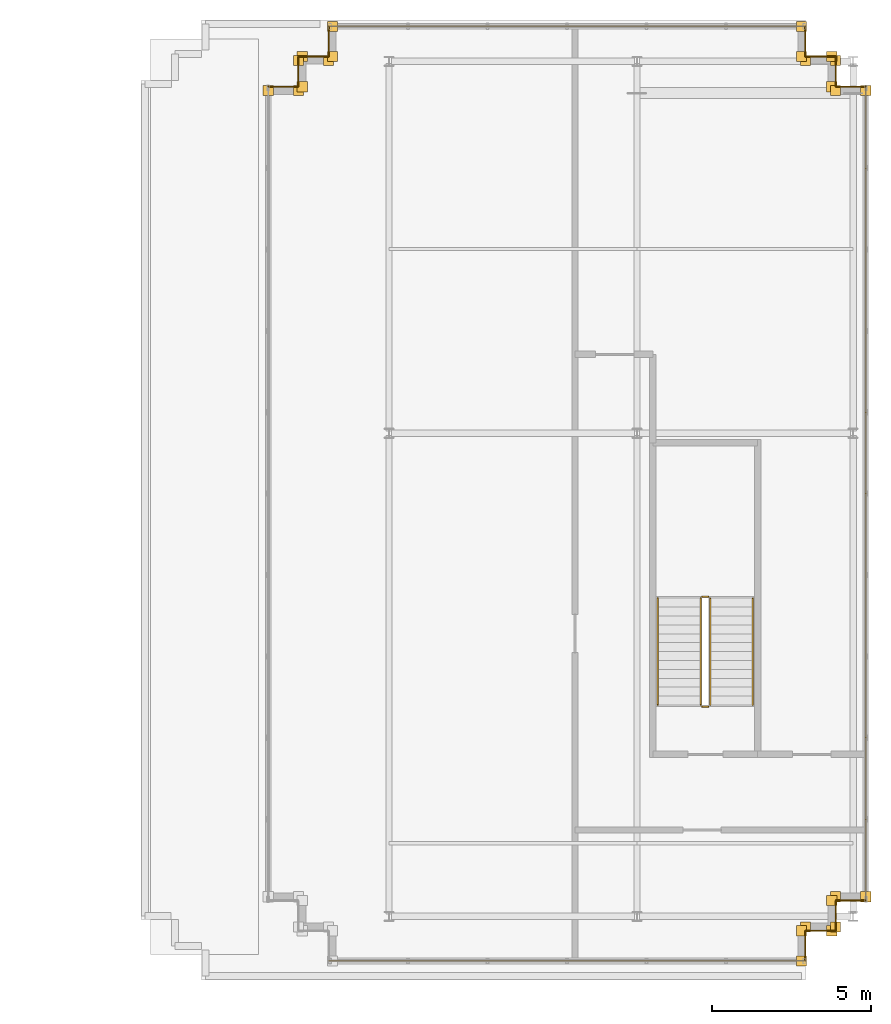
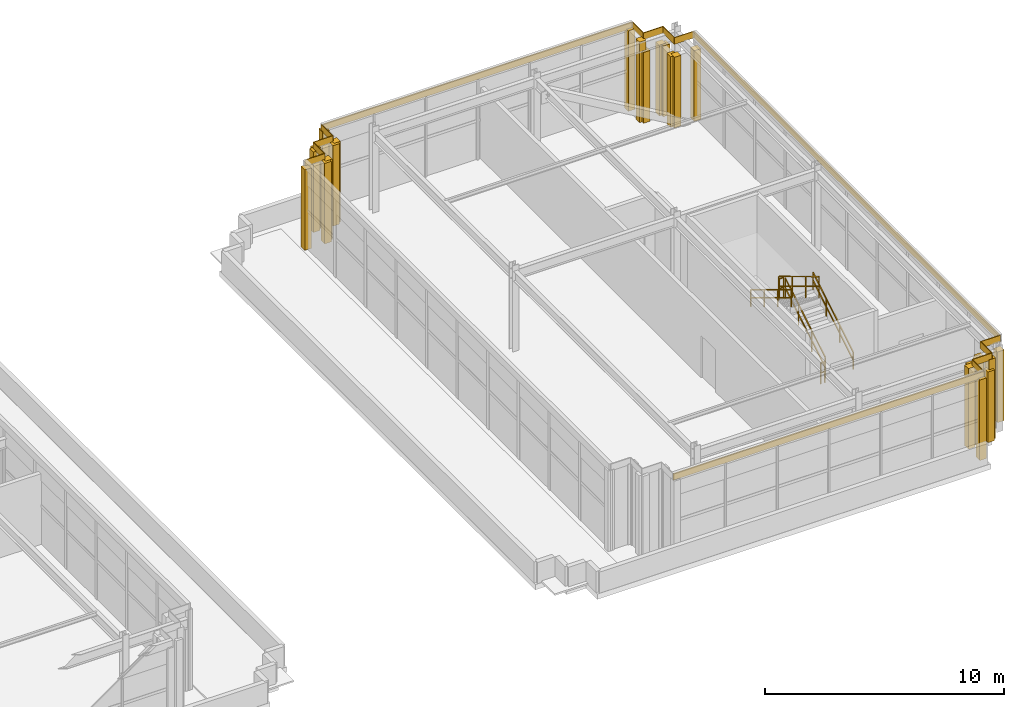
# One storey, part 28 of 28: 39 coverings, 6 railings.
"""IFC4 building model written with IfcOpenShell, lengths in metres."""

from ifc_helpers import new_model, si_unit, direction, frame, origin, origin_2d, place, context, subcontext, project, spatial, rectangle, extrude, source, transform, mapped, material, layer, layer_set, type_object, element, save


model = new_model("IFC4")

# Units and contexts
model_context = context("Model", 3, precision=1e-05, world=origin(), true_north=direction((0.0, 1.0)))
body_context = subcontext(model_context, "Body", "Model", "MODEL_VIEW")
ifc_project = project(units=[si_unit("LENGTHUNIT", "METRE"), si_unit("AREAUNIT", "SQUARE_METRE"), si_unit("VOLUMEUNIT", "CUBIC_METRE"), si_unit("PLANEANGLEUNIT", "RADIAN"), si_unit("MASSUNIT", "GRAM", prefix="KILO")], contexts=[model_context])

# Site, building, storey
site_placement = place(None, origin())
site = spatial("IfcSite", under=ifc_project, at=site_placement, CompositionType="ELEMENT")
building_placement = place(site_placement, origin())
building = spatial("IfcBuilding", under=site, at=building_placement, Name="Trelvane Seafront Commons", CompositionType="ELEMENT")
storey_placement = place(building_placement, frame((0.0, 0.0, 312.300048828125)))
storey = spatial("IfcBuildingStorey", under=building, at=storey_placement, Name="L81", CompositionType="ELEMENT", Elevation=312.300048828125)

# Railings
ifc_material_1 = material(Name="Stainless steel balustrade", Category="steel")
railing_type_1 = type_object("IfcRailingType", Name="ARCH-SRL-GUARD", PredefinedType="GUARDRAIL", material=ifc_material_1)
railing_1_placement = place(storey_placement, frame((61.10009765625, 24.85009765625, 0.169189453125)))
element("IfcRailing", 1, at=railing_1_placement, inside=storey, type_object=railing_type_1, Name="L81 ST-6 stair guard 1", PredefinedType="GUARDRAIL", context=body_context, shape_type="SweptSolid", body=[
    extrude(rectangle(XDim=0.048095703125, YDim=0.048095703125, at=origin_2d()), frame((0.0, 0.0, 1.076171875), z_axis=(0.0, 0.855820338506, 0.51727318527), x_axis=(-1.0, 0.0, 0.0)), (0.0, 0.0, 1.0), 3.92578125),
    extrude(rectangle(XDim=0.048095703125, YDim=0.048095703125, at=origin_2d()), frame((0.0, 0.0, 0.572021484375), z_axis=(0.0, 0.855820338506, 0.51727318527), x_axis=(-1.0, 0.0, 0.0)), (0.0, 0.0, 1.0), 3.92578125),
    extrude(rectangle(XDim=0.0419921875, YDim=0.0419921875, at=origin_2d()), origin(), (0.0, 0.0, 1.0), 1.076171875),
    extrude(rectangle(XDim=0.0419921875, YDim=0.0419921875, at=origin_2d()), frame((0.0, 1.119873046875, 0.677001953125)), (0.0, 0.0, 1.0), 1.076171875),
    extrude(rectangle(XDim=0.0419921875, YDim=0.0419921875, at=origin_2d()), frame((0.0, 2.239990234375, 1.353759765625)), (0.0, 0.0, 1.0), 1.076171875),
    extrude(rectangle(XDim=0.0419921875, YDim=0.0419921875, at=origin_2d()), frame((0.0, 3.35986328125, 2.03076171875)), (0.0, 0.0, 1.0), 1.076171875),
])
railing_2_placement = place(storey_placement, frame((61.050048828125, 28.260009765625, 2.199951171875)))
element("IfcRailing", 2, at=railing_2_placement, inside=storey, type_object=railing_type_1, Name="L81 ST-6 stair guard 2", PredefinedType="GUARDRAIL", context=body_context, shape_type="SweptSolid", body=[
    extrude(rectangle(XDim=0.048095703125, YDim=0.048095703125, at=origin_2d()), frame((0.0, 0.0, 1.076171875), z_axis=(-1.0, 0.0, 0.0), x_axis=(0.0, -1.0, 0.0)), (0.0, 0.0, 1.0), 0.199951171875),
    extrude(rectangle(XDim=0.048095703125, YDim=0.048095703125, at=origin_2d()), frame((0.0, 0.0, 0.572021484375), z_axis=(-1.0, 0.0, 0.0), x_axis=(0.0, -1.0, 0.0)), (0.0, 0.0, 1.0), 0.199951171875),
    extrude(rectangle(XDim=0.0419921875, YDim=0.0419921875, at=origin_2d()), origin(), (0.0, 0.0, 1.0), 1.076171875),
    extrude(rectangle(XDim=0.0419921875, YDim=0.0419921875, at=origin_2d()), frame((-0.199951171875, 0.0, 0.0)), (0.0, 0.0, 1.0), 1.076171875),
])
railing_3_placement = place(storey_placement, frame((60.800048828125, 28.2099609375, 2.369140625)))
element("IfcRailing", 3, at=railing_3_placement, inside=storey, type_object=railing_type_1, Name="L81 ST-6 stair guard 3", PredefinedType="GUARDRAIL", context=body_context, shape_type="SweptSolid", body=[
    extrude(rectangle(XDim=0.048095703125, YDim=0.048095703125, at=origin_2d()), frame((0.0, 0.0, 1.076171875), z_axis=(0.0, -0.855820338506, 0.51727318527), x_axis=(1.0, 0.0, 0.0)), (0.0, 0.0, 1.0), 3.92578125),
    extrude(rectangle(XDim=0.048095703125, YDim=0.048095703125, at=origin_2d()), frame((0.0, 0.0, 0.572021484375), z_axis=(0.0, -0.855820338506, 0.51727318527), x_axis=(1.0, 0.0, 0.0)), (0.0, 0.0, 1.0), 3.92578125),
    extrude(rectangle(XDim=0.0419921875, YDim=0.0419921875, at=origin_2d()), origin(), (0.0, 0.0, 1.0), 1.076171875),
    extrude(rectangle(XDim=0.0419921875, YDim=0.0419921875, at=origin_2d()), frame((0.0, -1.119873046875, 0.677001953125)), (0.0, 0.0, 1.0), 1.076171875),
    extrude(rectangle(XDim=0.0419921875, YDim=0.0419921875, at=origin_2d()), frame((0.0, -2.239990234375, 1.353759765625)), (0.0, 0.0, 1.0), 1.076171875),
    extrude(rectangle(XDim=0.0419921875, YDim=0.0419921875, at=origin_2d()), frame((0.0, -3.35986328125, 2.03076171875)), (0.0, 0.0, 1.0), 1.076171875),
])
railing_4_placement = place(storey_placement, frame((61.050048828125, 24.800048828125, 0.0)))
element("IfcRailing", 4, at=railing_4_placement, inside=storey, type_object=railing_type_1, Name="L81 ST-6 stair guard 4", PredefinedType="GUARDRAIL", context=body_context, shape_type="SweptSolid", body=[
    extrude(rectangle(XDim=0.048095703125, YDim=0.048095703125, at=origin_2d()), frame((0.0, 0.0, 1.076171875), z_axis=(-1.0, 0.0, 0.0), x_axis=(0.0, -1.0, 0.0)), (0.0, 0.0, 1.0), 0.199951171875),
    extrude(rectangle(XDim=0.048095703125, YDim=0.048095703125, at=origin_2d()), frame((0.0, 0.0, 0.572021484375), z_axis=(-1.0, 0.0, 0.0), x_axis=(0.0, -1.0, 0.0)), (0.0, 0.0, 1.0), 0.199951171875),
    extrude(rectangle(XDim=0.0419921875, YDim=0.0419921875, at=origin_2d()), origin(), (0.0, 0.0, 1.0), 1.076171875),
    extrude(rectangle(XDim=0.0419921875, YDim=0.0419921875, at=origin_2d()), frame((-0.199951171875, 0.0, 0.0)), (0.0, 0.0, 1.0), 1.076171875),
])
railing_type_2 = type_object("IfcRailingType", Name="ARCH-SRL-HAND", PredefinedType="HANDRAIL", material=ifc_material_1)
railing_5_placement = place(storey_placement, frame((62.449951171875, 24.85009765625, 0.169189453125)))
element("IfcRailing", 5, at=railing_5_placement, inside=storey, type_object=railing_type_2, Name="L81 ST-6 stair handrail 1", PredefinedType="HANDRAIL", context=body_context, shape_type="SweptSolid", body=[
    extrude(rectangle(XDim=0.048095703125, YDim=0.048095703125, at=origin_2d()), frame((0.0, 0.0, 0.8759765625), z_axis=(0.0, 0.855820338506, 0.51727318527), x_axis=(-1.0, 0.0, 0.0)), (0.0, 0.0, 1.0), 3.92578125),
    extrude(rectangle(XDim=0.048095703125, YDim=0.048095703125, at=origin_2d()), frame((0.0, 0.0, 0.468017578125), z_axis=(0.0, 0.855820338506, 0.51727318527), x_axis=(-1.0, 0.0, 0.0)), (0.0, 0.0, 1.0), 3.92578125),
    extrude(rectangle(XDim=0.0419921875, YDim=0.0419921875, at=origin_2d()), origin(), (0.0, 0.0, 1.0), 0.8759765625),
    extrude(rectangle(XDim=0.0419921875, YDim=0.0419921875, at=origin_2d()), frame((0.0, 1.119873046875, 0.677001953125)), (0.0, 0.0, 1.0), 0.8759765625),
    extrude(rectangle(XDim=0.0419921875, YDim=0.0419921875, at=origin_2d()), frame((0.0, 2.239990234375, 1.353759765625)), (0.0, 0.0, 1.0), 0.8759765625),
    extrude(rectangle(XDim=0.0419921875, YDim=0.0419921875, at=origin_2d()), frame((0.0, 3.35986328125, 2.03076171875)), (0.0, 0.0, 1.0), 0.8759765625),
])
railing_6_placement = place(storey_placement, frame((59.449951171875, 28.2099609375, 2.369140625)))
element("IfcRailing", 6, at=railing_6_placement, inside=storey, type_object=railing_type_2, Name="L81 ST-6 stair handrail 2", PredefinedType="HANDRAIL", context=body_context, shape_type="SweptSolid", body=[
    extrude(rectangle(XDim=0.048095703125, YDim=0.048095703125, at=origin_2d()), frame((0.0, 0.0, 0.8759765625), z_axis=(0.0, -0.855820338506, 0.51727318527), x_axis=(1.0, 0.0, 0.0)), (0.0, 0.0, 1.0), 3.92578125),
    extrude(rectangle(XDim=0.048095703125, YDim=0.048095703125, at=origin_2d()), frame((0.0, 0.0, 0.468017578125), z_axis=(0.0, -0.855820338506, 0.51727318527), x_axis=(1.0, 0.0, 0.0)), (0.0, 0.0, 1.0), 3.92578125),
    extrude(rectangle(XDim=0.0419921875, YDim=0.0419921875, at=origin_2d()), origin(), (0.0, 0.0, 1.0), 0.8759765625),
    extrude(rectangle(XDim=0.0419921875, YDim=0.0419921875, at=origin_2d()), frame((0.0, -1.119873046875, 0.677001953125)), (0.0, 0.0, 1.0), 0.8759765625),
    extrude(rectangle(XDim=0.0419921875, YDim=0.0419921875, at=origin_2d()), frame((0.0, -2.239990234375, 1.353759765625)), (0.0, 0.0, 1.0), 0.8759765625),
    extrude(rectangle(XDim=0.0419921875, YDim=0.0419921875, at=origin_2d()), frame((0.0, -3.35986328125, 2.03076171875)), (0.0, 0.0, 1.0), 0.8759765625),
])

# Coverings
ifc_material_2 = material(Name="Anodised pale-silver aluminium", Category="aluminium")
ifc_layer = layer(ifc_material_2, 0.034912109375, Name="ARCH-COV-CLAD35")
ifc_layer_set = layer_set([ifc_layer], Name="Anodised pale-silver aluminium")
covering_type = type_object("IfcCoveringType", Name="ARCH-COV-CLAD35", PredefinedType="CLADDING", material=ifc_layer_set)
shared_shape_1 = source(origin(), body_context, "Body", "SweptSolid", [
    extrude(rectangle(XDim=25.60009765625, YDim=0.034912109375, at=origin_2d()), origin(), (0.0, 0.0, 1.0), 0.340087890625),
])
covering_placement = place(storey_placement, frame((66.0, 31.5, 4.06005859375), z_axis=(0.0, 0.0, 1.0), x_axis=(0.0, -1.0, 0.0)))
element("IfcCovering", 7, at=covering_placement, inside=storey, type_object=covering_type, Name="CLD-L81-0614", PredefinedType="CLADDING", context=body_context, shape_type="MappedRepresentation", body=[
    mapped(shared_shape_1, transform((0.0, 0.0, 0.0), x_axis=(1.0, 0.0, 0.0), y_axis=(0.0, 1.0, 0.0), z_axis=(0.0, 0.0, 1.0), scale=1.0)),
])
shared_shape_2 = source(origin(), body_context, "Body", "SweptSolid", [
    extrude(rectangle(XDim=0.320068359375, YDim=0.320068359375, at=origin_2d()), origin(), (0.0, 0.0, 1.0), 4.110107421875),
])
for number, where, z_axis, x_axis, name in (
    (8, (47.199951171875, 44.179931640625, 0.0), (0.0, 0.0, 1.0), (1.0, 0.0, 0.0), "CLD-CP-L81-00589"),
    (9, (48.14990234375, 44.179931640625, 0.0), (0.0, 0.0, 1.0), (1.0, 0.0, 0.0), "CLD-CP-L81-00590"),
    (10, (48.27001953125, 44.300048828125, 0.0), (0.0, 0.0, 1.0), (1.0, 0.0, 0.0), "CLD-CP-L81-00592"),
    (11, (48.27001953125, 45.25, 0.0), (0.0, 0.0, 1.0), (1.0, 0.0, 0.0), "CLD-CP-L81-00593"),
    (12, (48.14990234375, 45.1298828125, 0.0), (0.0, 0.0, 1.0), (1.0, 0.0, 0.0), "CLD-CP-L81-00595"),
    (13, (49.10009765625, 45.1298828125, 0.0), (0.0, 0.0, 1.0), (1.0, 0.0, 0.0), "CLD-CP-L81-00596"),
    (14, (49.219970703125, 45.25, 0.0), (0.0, 0.0, 1.0), (1.0, 0.0, 0.0), "CLD-CP-L81-00598"),
    (15, (49.219970703125, 46.199951171875, 0.0), (0.0, 0.0, 1.0), (1.0, 0.0, 0.0), "CLD-CP-L81-00599"),
    (16, (63.97998046875, 46.199951171875, 0.0), (0.0, 0.0, 1.0), (1.0, 0.0, 0.0), "CLD-CP-L81-00602"),
    (17, (63.97998046875, 45.25, 0.0), (0.0, 0.0, 1.0), (1.0, 0.0, 0.0), "CLD-CP-L81-00603"),
    (18, (65.050048828125, 17.8701171875, 0.0), (0.0, 0.0, 1.0), (1.0, 0.0, 0.0), "CLD-CP-L81-00621"),
    (19, (64.10009765625, 17.8701171875, 0.0), (0.0, 0.0, 1.0), (1.0, 0.0, 0.0), "CLD-CP-L81-00622"),
    (20, (63.97998046875, 17.75, 0.0), (0.0, 0.0, 1.0), (1.0, 0.0, 0.0), "CLD-CP-L81-00624"),
    (21, (63.97998046875, 16.800048828125, 0.0), (0.0, 0.0, 1.0), (1.0, 0.0, 0.0), "CLD-CP-L81-00625"),
):
    element("IfcCovering", number, at=place(storey_placement, frame(where, z_axis=z_axis, x_axis=x_axis)), inside=storey, type_object=covering_type, Name=name, PredefinedType="CLADDING", context=body_context, shape_type="MappedRepresentation", body=[
        mapped(shared_shape_2, transform((0.0, 0.0, 0.0), x_axis=(1.0, 0.0, 0.0), y_axis=(0.0, 1.0, 0.0), z_axis=(0.0, 0.0, 1.0), scale=1.0)),
    ])
shared_shape_3 = source(origin(), body_context, "Body", "SweptSolid", [
    extrude(rectangle(XDim=0.949951171875, YDim=0.034912109375, at=origin_2d()), origin(), (0.0, 0.0, 1.0), 0.340087890625),
])
for number, where, z_axis, x_axis, name in (
    (22, (47.675048828125, 44.300048828125, 4.06005859375), (0.0, 0.0, 1.0), (1.0, 0.0, 0.0), "CLD-L81-0591"),
    (23, (48.14990234375, 44.77490234375, 4.06005859375), (0.0, 0.0, 1.0), (0.0, 1.0, 0.0), "CLD-L81-0594"),
    (24, (48.625, 45.25, 4.06005859375), (0.0, 0.0, 1.0), (1.0, 0.0, 0.0), "CLD-L81-0597"),
    (25, (49.10009765625, 45.72509765625, 4.06005859375), (0.0, 0.0, 1.0), (0.0, 1.0, 0.0), "CLD-L81-0600"),
    (26, (64.10009765625, 45.72509765625, 4.06005859375), (0.0, 0.0, 1.0), (0.0, -1.0, 0.0), "CLD-L81-0604"),
    (27, (64.574951171875, 45.25, 4.06005859375), (0.0, 0.0, 1.0), (1.0, 0.0, 0.0), "CLD-L81-0607"),
    (28, (65.050048828125, 44.77490234375, 4.06005859375), (0.0, 0.0, 1.0), (0.0, -1.0, 0.0), "CLD-L81-0610"),
    (29, (65.52490234375, 44.300048828125, 4.06005859375), (0.0, 0.0, 1.0), (1.0, 0.0, 0.0), "CLD-L81-0613"),
    (30, (65.52490234375, 18.699951171875, 4.06005859375), (0.0, 0.0, 1.0), (-1.0, 0.0, 0.0), "CLD-L81-0617"),
    (31, (65.050048828125, 18.22509765625, 4.06005859375), (0.0, 0.0, 1.0), (0.0, -1.0, 0.0), "CLD-L81-0620"),
    (32, (64.574951171875, 17.75, 4.06005859375), (0.0, 0.0, 1.0), (-1.0, 0.0, 0.0), "CLD-L81-0623"),
    (33, (64.10009765625, 17.27490234375, 4.06005859375), (0.0, 0.0, 1.0), (0.0, -1.0, 0.0), "CLD-L81-0626"),
):
    element("IfcCovering", number, at=place(storey_placement, frame(where, z_axis=z_axis, x_axis=x_axis)), inside=storey, type_object=covering_type, Name=name, PredefinedType="CLADDING", context=body_context, shape_type="MappedRepresentation", body=[
        mapped(shared_shape_3, transform((0.0, 0.0, 0.0), x_axis=(1.0, 0.0, 0.0), y_axis=(0.0, 1.0, 0.0), z_axis=(0.0, 0.0, 1.0), scale=1.0)),
    ])
shared_shape_4 = source(origin(), body_context, "Body", "SweptSolid", [
    extrude(rectangle(XDim=0.320068359375, YDim=0.320068359375, at=origin_2d()), origin(), (0.0, 0.0, 1.0), 3.610107421875),
])
for number, where, z_axis, x_axis, name in (
    (34, (64.10009765625, 45.1298828125, 0.0), (0.0, 0.0, 1.0), (1.0, 0.0, 0.0), "CLD-CP-L81-00605"),
    (35, (65.050048828125, 45.1298828125, 0.0), (0.0, 0.0, 1.0), (1.0, 0.0, 0.0), "CLD-CP-L81-00606"),
    (36, (64.929931640625, 45.25, 0.0), (0.0, 0.0, 1.0), (1.0, 0.0, 0.0), "CLD-CP-L81-00608"),
    (37, (64.929931640625, 44.300048828125, 0.0), (0.0, 0.0, 1.0), (1.0, 0.0, 0.0), "CLD-CP-L81-00609"),
    (38, (65.050048828125, 44.179931640625, 0.0), (0.0, 0.0, 1.0), (1.0, 0.0, 0.0), "CLD-CP-L81-00611"),
    (39, (66.0, 44.179931640625, 0.0), (0.0, 0.0, 1.0), (1.0, 0.0, 0.0), "CLD-CP-L81-00612"),
    (40, (66.0, 18.820068359375, 0.0), (0.0, 0.0, 1.0), (1.0, 0.0, 0.0), "CLD-CP-L81-00615"),
    (41, (65.050048828125, 18.820068359375, 0.0), (0.0, 0.0, 1.0), (1.0, 0.0, 0.0), "CLD-CP-L81-00616"),
    (42, (64.929931640625, 18.699951171875, 0.0), (0.0, 0.0, 1.0), (1.0, 0.0, 0.0), "CLD-CP-L81-00618"),
    (43, (64.929931640625, 17.75, 0.0), (0.0, 0.0, 1.0), (1.0, 0.0, 0.0), "CLD-CP-L81-00619"),
):
    element("IfcCovering", number, at=place(storey_placement, frame(where, z_axis=z_axis, x_axis=x_axis)), inside=storey, type_object=covering_type, Name=name, PredefinedType="CLADDING", context=body_context, shape_type="MappedRepresentation", body=[
        mapped(shared_shape_4, transform((0.0, 0.0, 0.0), x_axis=(1.0, 0.0, 0.0), y_axis=(0.0, 1.0, 0.0), z_axis=(0.0, 0.0, 1.0), scale=1.0)),
    ])
shared_shape_5 = source(origin(), body_context, "Body", "SweptSolid", [
    extrude(rectangle(XDim=15.0, YDim=0.034912109375, at=origin_2d()), origin(), (0.0, 0.0, 1.0), 0.340087890625),
])
for number, where, z_axis, x_axis, name in (
    (44, (56.60009765625, 46.199951171875, 4.06005859375), (0.0, 0.0, 1.0), (1.0, 0.0, 0.0), "CLD-L81-0601"),
    (45, (56.60009765625, 16.800048828125, 4.06005859375), (0.0, 0.0, 1.0), (-1.0, 0.0, 0.0), "CLD-L81-0627"),
):
    element("IfcCovering", number, at=place(storey_placement, frame(where, z_axis=z_axis, x_axis=x_axis)), inside=storey, type_object=covering_type, Name=name, PredefinedType="CLADDING", context=body_context, shape_type="MappedRepresentation", body=[
        mapped(shared_shape_5, transform((0.0, 0.0, 0.0), x_axis=(1.0, 0.0, 0.0), y_axis=(0.0, 1.0, 0.0), z_axis=(0.0, 0.0, 1.0), scale=1.0)),
    ])

save(model, "model.ifc")
